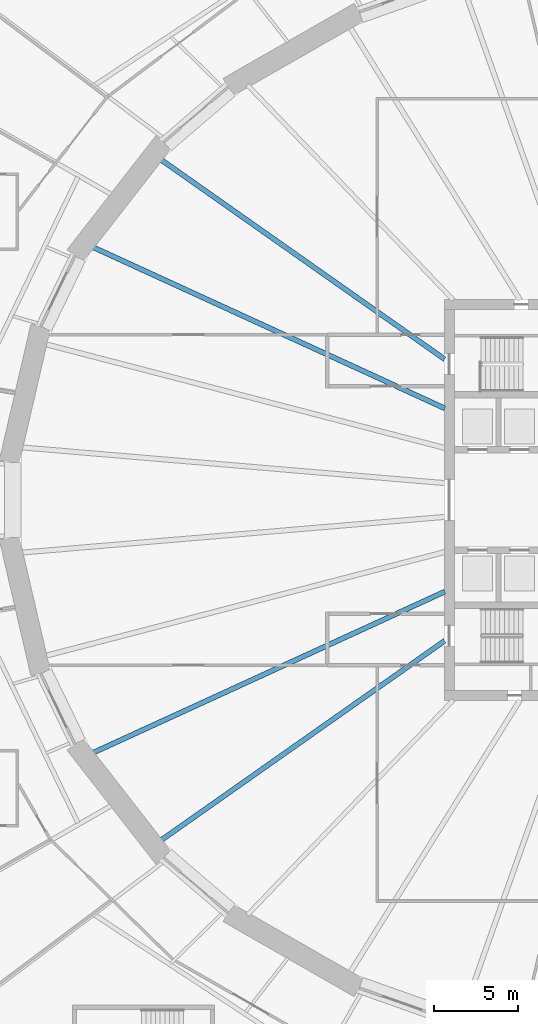
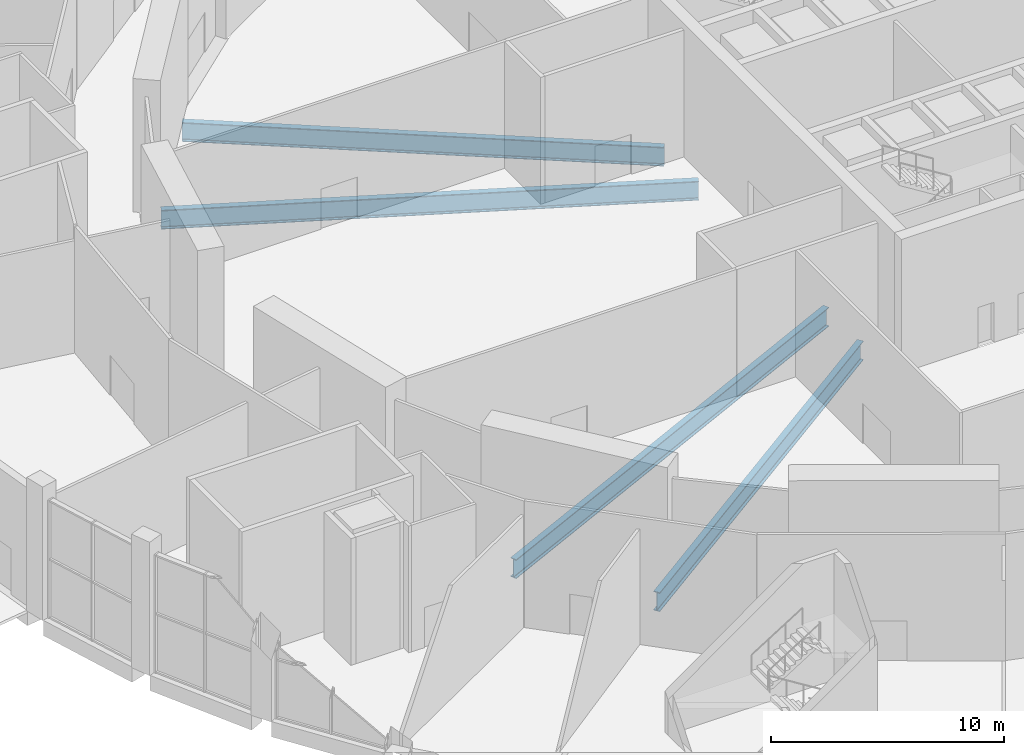
# One storey, part 6 of 33: 4 beams.
"""IFC4 building model written with IfcOpenShell, lengths in metres."""

from ifc_helpers import new_model, si_unit, direction, frame, origin, origin_2d, place, context, subcontext, project, spatial, i_section, extrude, material, material_profile, profile_set, type_object, element, save


model = new_model("IFC4")

# Units and contexts
model_context = context("Model", 3, precision=1e-05, world=origin(), true_north=direction((0.0, 1.0)))
body_context = subcontext(model_context, "Body", "Model", "MODEL_VIEW")
ifc_project = project(units=[si_unit("LENGTHUNIT", "METRE"), si_unit("AREAUNIT", "SQUARE_METRE"), si_unit("VOLUMEUNIT", "CUBIC_METRE"), si_unit("PLANEANGLEUNIT", "RADIAN"), si_unit("MASSUNIT", "GRAM", prefix="KILO")], contexts=[model_context])

# Site, building, storey
site_placement = place(None, origin())
site = spatial("IfcSite", under=ifc_project, at=site_placement, CompositionType="ELEMENT")
building_placement = place(site_placement, origin())
building = spatial("IfcBuilding", under=site, at=building_placement, Name="Halqa Exchange Tower", CompositionType="ELEMENT")
storey_placement = place(building_placement, origin())
storey = spatial("IfcBuildingStorey", under=building, at=storey_placement, Name="L00", CompositionType="ELEMENT", Elevation=0.0)

# Beams
ifc_material = material(Name="Steel S355", Category="steel")
ifc_material_profile = material_profile(ifc_material, i_section(OverallWidth=0.300048828125, OverallDepth=1.0, WebThickness=0.01904296875, FlangeThickness=0.035888671875, FilletRadius=0.030029296875, at=origin_2d()), Name="HEB 1000")
ifc_profile_set = profile_set([ifc_material_profile], Name="Steel S355")
beam_type = type_object("IfcBeamType", Name="Floor beam HEB 1000", PredefinedType="BEAM", material=ifc_profile_set)
beam_1_placement = place(storey_placement, frame((-11.972412109375, 8.421875, -0.949951171875), z_axis=(-0.817909911418, 0.575346310325, 0.0), x_axis=(-0.575346310325, -0.817909911418, 0.0)))
element("IfcBeam", 1, at=beam_1_placement, inside=storey, type_object=beam_type, Name="Radial beam 13", PredefinedType="BEAM", context=body_context, shape_type="SweptSolid", body=[
    extrude(i_section(OverallWidth=0.300048828125, OverallDepth=1.0, WebThickness=0.01904296875, FlangeThickness=0.035888671875, FilletRadius=0.030029296875, at=origin_2d()), origin(), (0.0, 0.0, 1.0), 20.804443359375),
])
for number, where, z_axis, x_axis, name in (
    (2, (-11.972412109375, 5.485107421875, -0.949951171875), (-0.909128229117, 0.416516341843, 0.0), (-0.416516341843, -0.909128229117, 0.0), "Radial beam 14"),
    (3, (-11.972412109375, -5.485107421875, -0.949951171875), (-0.909128229117, -0.416516341843, 0.0), (0.416516341843, -0.909128229117, 0.0), "Radial beam 19"),
):
    element("IfcBeam", number, at=place(storey_placement, frame(where, z_axis=z_axis, x_axis=x_axis)), inside=storey, type_object=beam_type, Name=name, PredefinedType="BEAM", context=body_context, shape_type="SweptSolid", body=[
        extrude(i_section(OverallWidth=0.300048828125, OverallDepth=1.0, WebThickness=0.01904296875, FlangeThickness=0.035888671875, FilletRadius=0.030029296875, at=origin_2d()), origin(), (0.0, 0.0, 1.0), 23.209228515625),
    ])
beam_2_placement = place(storey_placement, frame((-11.972412109375, -8.421875, -0.949951171875), z_axis=(-0.817909911418, -0.575346310325, 0.0), x_axis=(0.575346310325, -0.817909911418, 0.0)))
element("IfcBeam", 4, at=beam_2_placement, inside=storey, type_object=beam_type, Name="Radial beam 20", PredefinedType="BEAM", context=body_context, shape_type="SweptSolid", body=[
    extrude(i_section(OverallWidth=0.300048828125, OverallDepth=1.0, WebThickness=0.01904296875, FlangeThickness=0.035888671875, FilletRadius=0.030029296875, at=origin_2d()), origin(), (0.0, 0.0, 1.0), 20.804443359375),
])

save(model, "model.ifc")
